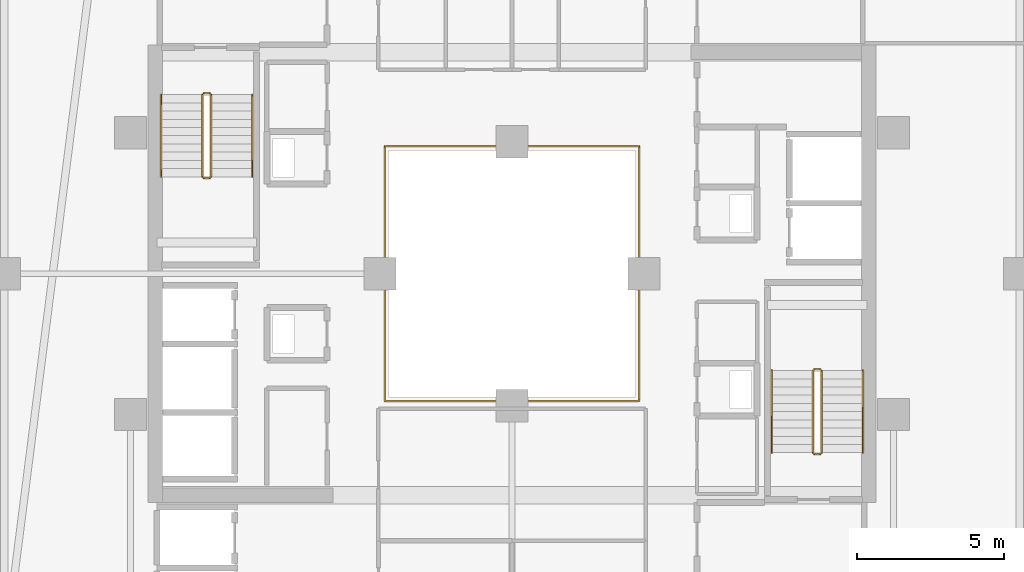
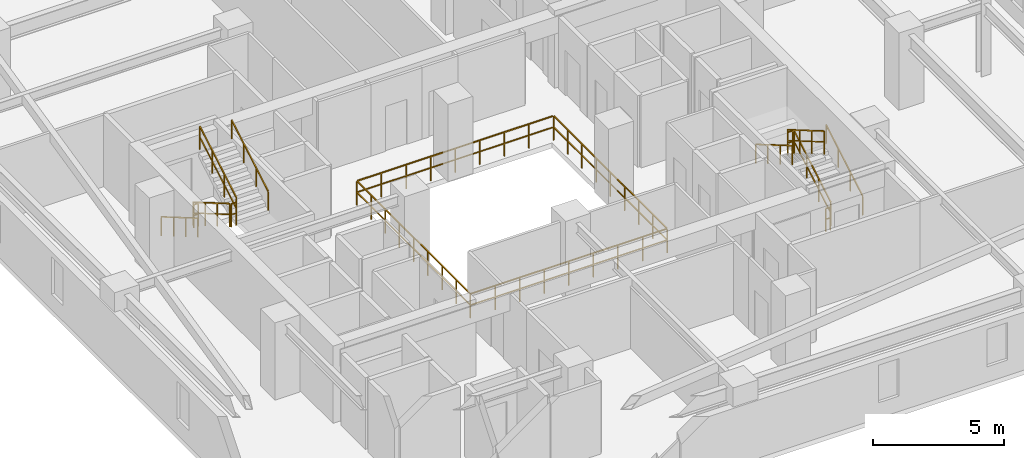
# One storey, part 32 of 33: 13 railings.
"""IFC4 building model written with IfcOpenShell, lengths in metres."""

from ifc_helpers import new_model, si_unit, direction, frame, origin, origin_2d, place, context, subcontext, project, spatial, rectangle, extrude, material, type_object, element, save


model = new_model("IFC4")

# Units and contexts
model_context = context("Model", 3, precision=1e-05, world=origin(), true_north=direction((0.0, 1.0)))
body_context = subcontext(model_context, "Body", "Model", "MODEL_VIEW")
ifc_project = project(units=[si_unit("LENGTHUNIT", "METRE"), si_unit("AREAUNIT", "SQUARE_METRE"), si_unit("VOLUMEUNIT", "CUBIC_METRE"), si_unit("PLANEANGLEUNIT", "RADIAN"), si_unit("MASSUNIT", "GRAM", prefix="KILO")], contexts=[model_context])

# Site, building, storey
site_placement = place(None, origin())
site = spatial("IfcSite", under=ifc_project, at=site_placement, CompositionType="ELEMENT")
building_placement = place(site_placement, origin())
building = spatial("IfcBuilding", under=site, at=building_placement, Name="Thornwick Lancets Civic Towers", CompositionType="ELEMENT")
storey_placement = place(building_placement, frame((0.0, 0.0, 159.89990234375)))
storey = spatial("IfcBuildingStorey", under=building, at=storey_placement, Name="L42", CompositionType="ELEMENT", Elevation=159.89990234375)

# Railings
ifc_material_1 = material(Name="Laminated glass and bronze steel S355", Category="steel")
railing_type_1 = type_object("IfcRailingType", Name="RAIL_ATRIUM_GUARD", PredefinedType="BALUSTRADE", material=ifc_material_1)
railing_1_placement = place(storey_placement, frame((84.159912109375, 22.659912109375, 0.0)))
element("IfcRailing", 1, at=railing_1_placement, inside=storey, type_object=railing_type_1, Name="L42 Tower B Central Atrium Guard Balustrade", PredefinedType="BALUSTRADE", context=body_context, shape_type="SweptSolid", body=[
    extrude(rectangle(XDim=0.048095703125, YDim=0.048095703125, at=origin_2d()), frame((0.0, 0.0, 1.1259765625), z_axis=(1.0, 0.0, 0.0), x_axis=(0.0, 1.0, 0.0)), (0.0, 0.0, 1.0), 8.64892578125),
    extrude(rectangle(XDim=0.0419921875, YDim=0.0419921875, at=origin_2d()), frame((0.03759765625, 0.0, 0.597900390625), z_axis=(1.0, 0.0, 0.0), x_axis=(0.0, 1.0, 0.0)), (0.0, 0.0, 1.0), 1.010009765625),
    extrude(rectangle(XDim=0.0419921875, YDim=0.0419921875, at=origin_2d()), frame((1.12255859375, 0.0, 0.597900390625), z_axis=(1.0, 0.0, 0.0), x_axis=(0.0, 1.0, 0.0)), (0.0, 0.0, 1.0), 1.010009765625),
    extrude(rectangle(XDim=0.0419921875, YDim=0.0419921875, at=origin_2d()), frame((2.20751953125, 0.0, 0.597900390625), z_axis=(1.0, 0.0, 0.0), x_axis=(0.0, 1.0, 0.0)), (0.0, 0.0, 1.0), 1.010009765625),
    extrude(rectangle(XDim=0.0419921875, YDim=0.0419921875, at=origin_2d()), frame((3.29248046875, 0.0, 0.597900390625), z_axis=(1.0, 0.0, 0.0), x_axis=(0.0, 1.0, 0.0)), (0.0, 0.0, 1.0), 1.010009765625),
    extrude(rectangle(XDim=0.0419921875, YDim=0.0419921875, at=origin_2d()), frame((4.377685546875, 0.0, 0.597900390625), z_axis=(1.0, 0.0, 0.0), x_axis=(0.0, 1.0, 0.0)), (0.0, 0.0, 1.0), 1.010009765625),
    extrude(rectangle(XDim=0.0419921875, YDim=0.0419921875, at=origin_2d()), frame((5.462646484375, 0.0, 0.597900390625), z_axis=(1.0, 0.0, 0.0), x_axis=(0.0, 1.0, 0.0)), (0.0, 0.0, 1.0), 1.010009765625),
    extrude(rectangle(XDim=0.0419921875, YDim=0.0419921875, at=origin_2d()), frame((6.547607421875, 0.0, 0.597900390625), z_axis=(1.0, 0.0, 0.0), x_axis=(0.0, 1.0, 0.0)), (0.0, 0.0, 1.0), 1.010009765625),
    extrude(rectangle(XDim=0.0419921875, YDim=0.0419921875, at=origin_2d()), frame((7.632568359375, 0.0, 0.597900390625), z_axis=(1.0, 0.0, 0.0), x_axis=(0.0, 1.0, 0.0)), (0.0, 0.0, 1.0), 1.010009765625),
    extrude(rectangle(XDim=0.048095703125, YDim=0.048095703125, at=origin_2d()), frame((8.68017578125, 0.03125, 1.1259765625), z_axis=(0.0, 1.0, 0.0), x_axis=(-1.0, 0.0, 0.0)), (0.0, 0.0, 1.0), 8.61767578125),
    extrude(rectangle(XDim=0.0419921875, YDim=0.0419921875, at=origin_2d()), frame((8.68017578125, 0.03759765625, 0.597900390625), z_axis=(0.0, 1.0, 0.0), x_axis=(-1.0, 0.0, 0.0)), (0.0, 0.0, 1.0), 1.010009765625),
    extrude(rectangle(XDim=0.0419921875, YDim=0.0419921875, at=origin_2d()), frame((8.68017578125, 1.12255859375, 0.597900390625), z_axis=(0.0, 1.0, 0.0), x_axis=(-1.0, 0.0, 0.0)), (0.0, 0.0, 1.0), 1.010009765625),
    extrude(rectangle(XDim=0.0419921875, YDim=0.0419921875, at=origin_2d()), frame((8.68017578125, 2.20751953125, 0.597900390625), z_axis=(0.0, 1.0, 0.0), x_axis=(-1.0, 0.0, 0.0)), (0.0, 0.0, 1.0), 1.010009765625),
    extrude(rectangle(XDim=0.0419921875, YDim=0.0419921875, at=origin_2d()), frame((8.68017578125, 3.29248046875, 0.597900390625), z_axis=(0.0, 1.0, 0.0), x_axis=(-1.0, 0.0, 0.0)), (0.0, 0.0, 1.0), 1.010009765625),
    extrude(rectangle(XDim=0.0419921875, YDim=0.0419921875, at=origin_2d()), frame((8.68017578125, 4.377685546875, 0.597900390625), z_axis=(0.0, 1.0, 0.0), x_axis=(-1.0, 0.0, 0.0)), (0.0, 0.0, 1.0), 1.010009765625),
    extrude(rectangle(XDim=0.0419921875, YDim=0.0419921875, at=origin_2d()), frame((8.68017578125, 5.462646484375, 0.597900390625), z_axis=(0.0, 1.0, 0.0), x_axis=(-1.0, 0.0, 0.0)), (0.0, 0.0, 1.0), 1.010009765625),
    extrude(rectangle(XDim=0.0419921875, YDim=0.0419921875, at=origin_2d()), frame((8.68017578125, 6.547607421875, 0.597900390625), z_axis=(0.0, 1.0, 0.0), x_axis=(-1.0, 0.0, 0.0)), (0.0, 0.0, 1.0), 1.010009765625),
    extrude(rectangle(XDim=0.0419921875, YDim=0.0419921875, at=origin_2d()), frame((8.68017578125, 7.632568359375, 0.597900390625), z_axis=(0.0, 1.0, 0.0), x_axis=(-1.0, 0.0, 0.0)), (0.0, 0.0, 1.0), 1.010009765625),
    extrude(rectangle(XDim=0.048095703125, YDim=0.048095703125, at=origin_2d()), frame((8.64892578125, 8.68017578125, 1.1259765625), z_axis=(-1.0, 0.0, 0.0), x_axis=(0.0, -1.0, 0.0)), (0.0, 0.0, 1.0), 8.61767578125),
    extrude(rectangle(XDim=0.0419921875, YDim=0.0419921875, at=origin_2d()), frame((8.642578125, 8.68017578125, 0.597900390625), z_axis=(-1.0, 0.0, 0.0), x_axis=(0.0, -1.0, 0.0)), (0.0, 0.0, 1.0), 1.010009765625),
    extrude(rectangle(XDim=0.0419921875, YDim=0.0419921875, at=origin_2d()), frame((7.5576171875, 8.68017578125, 0.597900390625), z_axis=(-1.0, 0.0, 0.0), x_axis=(0.0, -1.0, 0.0)), (0.0, 0.0, 1.0), 1.010009765625),
    extrude(rectangle(XDim=0.0419921875, YDim=0.0419921875, at=origin_2d()), frame((6.47265625, 8.68017578125, 0.597900390625), z_axis=(-1.0, 0.0, 0.0), x_axis=(0.0, -1.0, 0.0)), (0.0, 0.0, 1.0), 1.010009765625),
    extrude(rectangle(XDim=0.0419921875, YDim=0.0419921875, at=origin_2d()), frame((5.3876953125, 8.68017578125, 0.597900390625), z_axis=(-1.0, 0.0, 0.0), x_axis=(0.0, -1.0, 0.0)), (0.0, 0.0, 1.0), 1.010009765625),
    extrude(rectangle(XDim=0.0419921875, YDim=0.0419921875, at=origin_2d()), frame((4.302490234375, 8.68017578125, 0.597900390625), z_axis=(-1.0, 0.0, 0.0), x_axis=(0.0, -1.0, 0.0)), (0.0, 0.0, 1.0), 1.010009765625),
    extrude(rectangle(XDim=0.0419921875, YDim=0.0419921875, at=origin_2d()), frame((3.217529296875, 8.68017578125, 0.597900390625), z_axis=(-1.0, 0.0, 0.0), x_axis=(0.0, -1.0, 0.0)), (0.0, 0.0, 1.0), 1.010009765625),
    extrude(rectangle(XDim=0.0419921875, YDim=0.0419921875, at=origin_2d()), frame((2.132568359375, 8.68017578125, 0.597900390625), z_axis=(-1.0, 0.0, 0.0), x_axis=(0.0, -1.0, 0.0)), (0.0, 0.0, 1.0), 1.010009765625),
    extrude(rectangle(XDim=0.0419921875, YDim=0.0419921875, at=origin_2d()), frame((1.047607421875, 8.68017578125, 0.597900390625), z_axis=(-1.0, 0.0, 0.0), x_axis=(0.0, -1.0, 0.0)), (0.0, 0.0, 1.0), 1.010009765625),
    extrude(rectangle(XDim=0.048095703125, YDim=0.048095703125, at=origin_2d()), frame((0.0, 8.64892578125, 1.1259765625), z_axis=(0.0, -1.0, 0.0), x_axis=(1.0, 0.0, 0.0)), (0.0, 0.0, 1.0), 8.64892578125),
    extrude(rectangle(XDim=0.0419921875, YDim=0.0419921875, at=origin_2d()), frame((0.0, 8.642578125, 0.597900390625), z_axis=(0.0, -1.0, 0.0), x_axis=(1.0, 0.0, 0.0)), (0.0, 0.0, 1.0), 1.010009765625),
    extrude(rectangle(XDim=0.0419921875, YDim=0.0419921875, at=origin_2d()), frame((0.0, 7.5576171875, 0.597900390625), z_axis=(0.0, -1.0, 0.0), x_axis=(1.0, 0.0, 0.0)), (0.0, 0.0, 1.0), 1.010009765625),
    extrude(rectangle(XDim=0.0419921875, YDim=0.0419921875, at=origin_2d()), frame((0.0, 6.47265625, 0.597900390625), z_axis=(0.0, -1.0, 0.0), x_axis=(1.0, 0.0, 0.0)), (0.0, 0.0, 1.0), 1.010009765625),
    extrude(rectangle(XDim=0.0419921875, YDim=0.0419921875, at=origin_2d()), frame((0.0, 5.3876953125, 0.597900390625), z_axis=(0.0, -1.0, 0.0), x_axis=(1.0, 0.0, 0.0)), (0.0, 0.0, 1.0), 1.010009765625),
    extrude(rectangle(XDim=0.0419921875, YDim=0.0419921875, at=origin_2d()), frame((0.0, 4.302490234375, 0.597900390625), z_axis=(0.0, -1.0, 0.0), x_axis=(1.0, 0.0, 0.0)), (0.0, 0.0, 1.0), 1.010009765625),
    extrude(rectangle(XDim=0.0419921875, YDim=0.0419921875, at=origin_2d()), frame((0.0, 3.217529296875, 0.597900390625), z_axis=(0.0, -1.0, 0.0), x_axis=(1.0, 0.0, 0.0)), (0.0, 0.0, 1.0), 1.010009765625),
    extrude(rectangle(XDim=0.0419921875, YDim=0.0419921875, at=origin_2d()), frame((0.0, 2.132568359375, 0.597900390625), z_axis=(0.0, -1.0, 0.0), x_axis=(1.0, 0.0, 0.0)), (0.0, 0.0, 1.0), 1.010009765625),
    extrude(rectangle(XDim=0.0419921875, YDim=0.0419921875, at=origin_2d()), frame((0.0, 1.047607421875, 0.597900390625), z_axis=(0.0, -1.0, 0.0), x_axis=(1.0, 0.0, 0.0)), (0.0, 0.0, 1.0), 1.010009765625),
    extrude(rectangle(XDim=0.0419921875, YDim=0.0419921875, at=origin_2d()), origin(), (0.0, 0.0, 1.0), 1.095703125),
    extrude(rectangle(XDim=0.0419921875, YDim=0.0419921875, at=origin_2d()), frame((1.0849609375, 0.0, 0.0)), (0.0, 0.0, 1.0), 1.095703125),
    extrude(rectangle(XDim=0.0419921875, YDim=0.0419921875, at=origin_2d()), frame((2.169921875, 0.0, 0.0)), (0.0, 0.0, 1.0), 1.095703125),
    extrude(rectangle(XDim=0.0419921875, YDim=0.0419921875, at=origin_2d()), frame((3.255126953125, 0.0, 0.0)), (0.0, 0.0, 1.0), 1.095703125),
    extrude(rectangle(XDim=0.0419921875, YDim=0.0419921875, at=origin_2d()), frame((4.340087890625, 0.0, 0.0)), (0.0, 0.0, 1.0), 1.095703125),
    extrude(rectangle(XDim=0.0419921875, YDim=0.0419921875, at=origin_2d()), frame((5.425048828125, 0.0, 0.0)), (0.0, 0.0, 1.0), 1.095703125),
    extrude(rectangle(XDim=0.0419921875, YDim=0.0419921875, at=origin_2d()), frame((6.51025390625, 0.0, 0.0)), (0.0, 0.0, 1.0), 1.095703125),
    extrude(rectangle(XDim=0.0419921875, YDim=0.0419921875, at=origin_2d()), frame((7.59521484375, 0.0, 0.0)), (0.0, 0.0, 1.0), 1.095703125),
    extrude(rectangle(XDim=0.0419921875, YDim=0.0419921875, at=origin_2d()), frame((8.68017578125, 0.0, 0.0)), (0.0, 0.0, 1.0), 1.095703125),
    extrude(rectangle(XDim=0.0419921875, YDim=0.0419921875, at=origin_2d()), frame((8.68017578125, 1.0849609375, 0.0)), (0.0, 0.0, 1.0), 1.095703125),
    extrude(rectangle(XDim=0.0419921875, YDim=0.0419921875, at=origin_2d()), frame((8.68017578125, 2.169921875, 0.0)), (0.0, 0.0, 1.0), 1.095703125),
    extrude(rectangle(XDim=0.0419921875, YDim=0.0419921875, at=origin_2d()), frame((8.68017578125, 3.255126953125, 0.0)), (0.0, 0.0, 1.0), 1.095703125),
    extrude(rectangle(XDim=0.0419921875, YDim=0.0419921875, at=origin_2d()), frame((8.68017578125, 4.340087890625, 0.0)), (0.0, 0.0, 1.0), 1.095703125),
    extrude(rectangle(XDim=0.0419921875, YDim=0.0419921875, at=origin_2d()), frame((8.68017578125, 5.425048828125, 0.0)), (0.0, 0.0, 1.0), 1.095703125),
    extrude(rectangle(XDim=0.0419921875, YDim=0.0419921875, at=origin_2d()), frame((8.68017578125, 6.51025390625, 0.0)), (0.0, 0.0, 1.0), 1.095703125),
    extrude(rectangle(XDim=0.0419921875, YDim=0.0419921875, at=origin_2d()), frame((8.68017578125, 7.59521484375, 0.0)), (0.0, 0.0, 1.0), 1.095703125),
    extrude(rectangle(XDim=0.0419921875, YDim=0.0419921875, at=origin_2d()), frame((8.68017578125, 8.68017578125, 0.0)), (0.0, 0.0, 1.0), 1.095703125),
    extrude(rectangle(XDim=0.0419921875, YDim=0.0419921875, at=origin_2d()), frame((7.59521484375, 8.68017578125, 0.0)), (0.0, 0.0, 1.0), 1.095703125),
    extrude(rectangle(XDim=0.0419921875, YDim=0.0419921875, at=origin_2d()), frame((6.51025390625, 8.68017578125, 0.0)), (0.0, 0.0, 1.0), 1.095703125),
    extrude(rectangle(XDim=0.0419921875, YDim=0.0419921875, at=origin_2d()), frame((5.425048828125, 8.68017578125, 0.0)), (0.0, 0.0, 1.0), 1.095703125),
    extrude(rectangle(XDim=0.0419921875, YDim=0.0419921875, at=origin_2d()), frame((4.340087890625, 8.68017578125, 0.0)), (0.0, 0.0, 1.0), 1.095703125),
    extrude(rectangle(XDim=0.0419921875, YDim=0.0419921875, at=origin_2d()), frame((3.255126953125, 8.68017578125, 0.0)), (0.0, 0.0, 1.0), 1.095703125),
    extrude(rectangle(XDim=0.0419921875, YDim=0.0419921875, at=origin_2d()), frame((2.169921875, 8.68017578125, 0.0)), (0.0, 0.0, 1.0), 1.095703125),
    extrude(rectangle(XDim=0.0419921875, YDim=0.0419921875, at=origin_2d()), frame((1.0849609375, 8.68017578125, 0.0)), (0.0, 0.0, 1.0), 1.095703125),
    extrude(rectangle(XDim=0.0419921875, YDim=0.0419921875, at=origin_2d()), frame((0.0, 8.68017578125, 0.0)), (0.0, 0.0, 1.0), 1.095703125),
    extrude(rectangle(XDim=0.0419921875, YDim=0.0419921875, at=origin_2d()), frame((0.0, 7.59521484375, 0.0)), (0.0, 0.0, 1.0), 1.095703125),
    extrude(rectangle(XDim=0.0419921875, YDim=0.0419921875, at=origin_2d()), frame((0.0, 6.51025390625, 0.0)), (0.0, 0.0, 1.0), 1.095703125),
    extrude(rectangle(XDim=0.0419921875, YDim=0.0419921875, at=origin_2d()), frame((0.0, 5.425048828125, 0.0)), (0.0, 0.0, 1.0), 1.095703125),
    extrude(rectangle(XDim=0.0419921875, YDim=0.0419921875, at=origin_2d()), frame((0.0, 4.340087890625, 0.0)), (0.0, 0.0, 1.0), 1.095703125),
    extrude(rectangle(XDim=0.0419921875, YDim=0.0419921875, at=origin_2d()), frame((0.0, 3.255126953125, 0.0)), (0.0, 0.0, 1.0), 1.095703125),
    extrude(rectangle(XDim=0.0419921875, YDim=0.0419921875, at=origin_2d()), frame((0.0, 2.169921875, 0.0)), (0.0, 0.0, 1.0), 1.095703125),
    extrude(rectangle(XDim=0.0419921875, YDim=0.0419921875, at=origin_2d()), frame((0.0, 1.0849609375, 0.0)), (0.0, 0.0, 1.0), 1.095703125),
])
ifc_material_2 = material(Name="Brushed stainless steel S355", Category="steel")
railing_type_2 = type_object("IfcRailingType", Name="RAIL_HANDRAIL", PredefinedType="HANDRAIL", material=ifc_material_2)
railing_2_placement = place(storey_placement, frame((100.449951171875, 20.89990234375, 0.163818359375)))
element("IfcRailing", 2, at=railing_2_placement, inside=storey, type_object=railing_type_2, Name="L42 ST-B1 stair handrail 1", PredefinedType="HANDRAIL", context=body_context, shape_type="SweptSolid", body=[
    extrude(rectangle(XDim=0.048095703125, YDim=0.048095703125, at=origin_2d()), frame((0.0, 0.0, 0.8857421875), z_axis=(0.0, 0.863393664356, 0.504530851732), x_axis=(-1.0, 0.0, 0.0)), (0.0, 0.0, 1.0), 3.2431640625),
    extrude(rectangle(XDim=0.0419921875, YDim=0.0419921875, at=origin_2d()), origin(), (0.0, 0.0, 1.0), 0.855712890625),
    extrude(rectangle(XDim=0.0419921875, YDim=0.0419921875, at=origin_2d()), frame((0.0, 0.933349609375, 0.54541015625)), (0.0, 0.0, 1.0), 0.855712890625),
    extrude(rectangle(XDim=0.0419921875, YDim=0.0419921875, at=origin_2d()), frame((0.0, 1.86669921875, 1.0908203125)), (0.0, 0.0, 1.0), 0.855712890625),
    extrude(rectangle(XDim=0.0419921875, YDim=0.0419921875, at=origin_2d()), frame((0.0, 2.800048828125, 1.63623046875)), (0.0, 0.0, 1.0), 0.855712890625),
])
railing_3_placement = place(storey_placement, frame((97.35009765625, 23.699951171875, 1.963623046875)))
element("IfcRailing", 3, at=railing_3_placement, inside=storey, type_object=railing_type_2, Name="L42 ST-B1 stair handrail 2", PredefinedType="HANDRAIL", context=body_context, shape_type="SweptSolid", body=[
    extrude(rectangle(XDim=0.048095703125, YDim=0.048095703125, at=origin_2d()), frame((0.0, 0.0, 0.8857421875), z_axis=(0.0, -0.863360870873, 0.504586966384), x_axis=(1.0, 0.0, 0.0)), (0.0, 0.0, 1.0), 3.2431640625),
    extrude(rectangle(XDim=0.0419921875, YDim=0.0419921875, at=origin_2d()), origin(), (0.0, 0.0, 1.0), 0.855712890625),
    extrude(rectangle(XDim=0.0419921875, YDim=0.0419921875, at=origin_2d()), frame((0.0, -0.933349609375, 0.54541015625)), (0.0, 0.0, 1.0), 0.855712890625),
    extrude(rectangle(XDim=0.0419921875, YDim=0.0419921875, at=origin_2d()), frame((0.0, -1.86669921875, 1.091064453125)), (0.0, 0.0, 1.0), 0.855712890625),
    extrude(rectangle(XDim=0.0419921875, YDim=0.0419921875, at=origin_2d()), frame((0.0, -2.800048828125, 1.636474609375)), (0.0, 0.0, 1.0), 0.855712890625),
])
railing_4_placement = place(storey_placement, frame((76.550048828125, 33.10009765625, 0.163818359375)))
element("IfcRailing", 4, at=railing_4_placement, inside=storey, type_object=railing_type_2, Name="L42 ST-B2 stair handrail 1", PredefinedType="HANDRAIL", context=body_context, shape_type="SweptSolid", body=[
    extrude(rectangle(XDim=0.048095703125, YDim=0.048095703125, at=origin_2d()), frame((0.0, 0.0, 0.8857421875), z_axis=(0.0, -0.863393664356, 0.504530851732), x_axis=(1.0, 0.0, 0.0)), (0.0, 0.0, 1.0), 3.2431640625),
    extrude(rectangle(XDim=0.0419921875, YDim=0.0419921875, at=origin_2d()), origin(), (0.0, 0.0, 1.0), 0.855712890625),
    extrude(rectangle(XDim=0.0419921875, YDim=0.0419921875, at=origin_2d()), frame((0.0, -0.933349609375, 0.54541015625)), (0.0, 0.0, 1.0), 0.855712890625),
    extrude(rectangle(XDim=0.0419921875, YDim=0.0419921875, at=origin_2d()), frame((0.0, -1.86669921875, 1.0908203125)), (0.0, 0.0, 1.0), 0.855712890625),
    extrude(rectangle(XDim=0.0419921875, YDim=0.0419921875, at=origin_2d()), frame((0.0, -2.800048828125, 1.63623046875)), (0.0, 0.0, 1.0), 0.855712890625),
])
railing_5_placement = place(storey_placement, frame((79.64990234375, 30.300048828125, 1.963623046875)))
element("IfcRailing", 5, at=railing_5_placement, inside=storey, type_object=railing_type_2, Name="L42 ST-B2 stair handrail 2", PredefinedType="HANDRAIL", context=body_context, shape_type="SweptSolid", body=[
    extrude(rectangle(XDim=0.048095703125, YDim=0.048095703125, at=origin_2d()), frame((0.0, 0.0, 0.8857421875), z_axis=(0.0, 0.863360870873, 0.504586966384), x_axis=(-1.0, 0.0, 0.0)), (0.0, 0.0, 1.0), 3.2431640625),
    extrude(rectangle(XDim=0.0419921875, YDim=0.0419921875, at=origin_2d()), origin(), (0.0, 0.0, 1.0), 0.855712890625),
    extrude(rectangle(XDim=0.0419921875, YDim=0.0419921875, at=origin_2d()), frame((0.0, 0.933349609375, 0.54541015625)), (0.0, 0.0, 1.0), 0.855712890625),
    extrude(rectangle(XDim=0.0419921875, YDim=0.0419921875, at=origin_2d()), frame((0.0, 1.86669921875, 1.091064453125)), (0.0, 0.0, 1.0), 0.855712890625),
    extrude(rectangle(XDim=0.0419921875, YDim=0.0419921875, at=origin_2d()), frame((0.0, 2.800048828125, 1.636474609375)), (0.0, 0.0, 1.0), 0.855712890625),
])
ifc_material_3 = material(Name="Steel S355JR", Category="steel")
railing_type_3 = type_object("IfcRailingType", Name="RAIL_STAIR_GUARD", PredefinedType="GUARDRAIL", material=ifc_material_3)
railing_6_placement = place(storey_placement, frame((99.050048828125, 20.89990234375, 0.163818359375)))
element("IfcRailing", 6, at=railing_6_placement, inside=storey, type_object=railing_type_3, Name="L42 ST-B1 stair guard 1", PredefinedType="GUARDRAIL", context=body_context, shape_type="SweptSolid", body=[
    extrude(rectangle(XDim=0.048095703125, YDim=0.048095703125, at=origin_2d()), frame((0.0, 0.0, 1.076171875), z_axis=(0.0, 0.863393664356, 0.504530851732), x_axis=(-1.0, 0.0, 0.0)), (0.0, 0.0, 1.0), 3.2431640625),
    extrude(rectangle(XDim=0.0419921875, YDim=0.0419921875, at=origin_2d()), frame((0.0, 0.032470703125, 0.591064453125), z_axis=(0.0, 0.863393664356, 0.504530851732), x_axis=(-1.0, 0.0, 0.0)), (0.0, 0.0, 1.0), 1.006103515625),
    extrude(rectangle(XDim=0.0419921875, YDim=0.0419921875, at=origin_2d()), frame((0.0, 0.9658203125, 1.136474609375), z_axis=(0.0, 0.863393664356, 0.504530851732), x_axis=(-1.0, 0.0, 0.0)), (0.0, 0.0, 1.0), 1.006103515625),
    extrude(rectangle(XDim=0.0419921875, YDim=0.0419921875, at=origin_2d()), frame((0.0, 1.899169921875, 1.681884765625), z_axis=(0.0, 0.863393664356, 0.504530851732), x_axis=(-1.0, 0.0, 0.0)), (0.0, 0.0, 1.0), 1.006103515625),
    extrude(rectangle(XDim=0.0419921875, YDim=0.0419921875, at=origin_2d()), origin(), (0.0, 0.0, 1.0), 1.0458984375),
    extrude(rectangle(XDim=0.0419921875, YDim=0.0419921875, at=origin_2d()), frame((0.0, 0.933349609375, 0.54541015625)), (0.0, 0.0, 1.0), 1.0458984375),
    extrude(rectangle(XDim=0.0419921875, YDim=0.0419921875, at=origin_2d()), frame((0.0, 1.86669921875, 1.0908203125)), (0.0, 0.0, 1.0), 1.0458984375),
    extrude(rectangle(XDim=0.0419921875, YDim=0.0419921875, at=origin_2d()), frame((0.0, 2.800048828125, 1.63623046875)), (0.0, 0.0, 1.0), 1.0458984375),
])
railing_7_placement = place(storey_placement, frame((99.0, 23.75, 1.800048828125)))
element("IfcRailing", 7, at=railing_7_placement, inside=storey, type_object=railing_type_3, Name="L42 ST-B1 stair guard 2", PredefinedType="GUARDRAIL", context=body_context, shape_type="SweptSolid", body=[
    extrude(rectangle(XDim=0.048095703125, YDim=0.048095703125, at=origin_2d()), frame((0.0, 0.0, 1.076171875), z_axis=(-1.0, 0.0, 0.0), x_axis=(0.0, -1.0, 0.0)), (0.0, 0.0, 1.0), 0.199951171875),
    extrude(rectangle(XDim=0.0419921875, YDim=0.0419921875, at=origin_2d()), frame((-0.03759765625, 0.0, 0.572021484375), z_axis=(-1.0, 0.0, 0.0), x_axis=(0.0, -1.0, 0.0)), (0.0, 0.0, 1.0), 0.125),
    extrude(rectangle(XDim=0.0419921875, YDim=0.0419921875, at=origin_2d()), origin(), (0.0, 0.0, 1.0), 1.0458984375),
    extrude(rectangle(XDim=0.0419921875, YDim=0.0419921875, at=origin_2d()), frame((-0.199951171875, 0.0, 0.0)), (0.0, 0.0, 1.0), 1.0458984375),
])
railing_8_placement = place(storey_placement, frame((98.75, 23.699951171875, 1.963623046875)))
element("IfcRailing", 8, at=railing_8_placement, inside=storey, type_object=railing_type_3, Name="L42 ST-B1 stair guard 3", PredefinedType="GUARDRAIL", context=body_context, shape_type="SweptSolid", body=[
    extrude(rectangle(XDim=0.048095703125, YDim=0.048095703125, at=origin_2d()), frame((0.0, 0.0, 1.076171875), z_axis=(0.0, -0.863360870873, 0.504586966384), x_axis=(1.0, 0.0, 0.0)), (0.0, 0.0, 1.0), 3.2431640625),
    extrude(rectangle(XDim=0.0419921875, YDim=0.0419921875, at=origin_2d()), frame((0.0, -0.032470703125, 0.591064453125), z_axis=(0.0, -0.863360870873, 0.504586966384), x_axis=(1.0, 0.0, 0.0)), (0.0, 0.0, 1.0), 1.006103515625),
    extrude(rectangle(XDim=0.0419921875, YDim=0.0419921875, at=origin_2d()), frame((0.0, -0.9658203125, 1.136474609375), z_axis=(0.0, -0.863360870873, 0.504586966384), x_axis=(1.0, 0.0, 0.0)), (0.0, 0.0, 1.0), 1.006103515625),
    extrude(rectangle(XDim=0.0419921875, YDim=0.0419921875, at=origin_2d()), frame((0.0, -1.899169921875, 1.681884765625), z_axis=(0.0, -0.863360870873, 0.504586966384), x_axis=(1.0, 0.0, 0.0)), (0.0, 0.0, 1.0), 1.006103515625),
    extrude(rectangle(XDim=0.0419921875, YDim=0.0419921875, at=origin_2d()), origin(), (0.0, 0.0, 1.0), 1.0458984375),
    extrude(rectangle(XDim=0.0419921875, YDim=0.0419921875, at=origin_2d()), frame((0.0, -0.933349609375, 0.54541015625)), (0.0, 0.0, 1.0), 1.0458984375),
    extrude(rectangle(XDim=0.0419921875, YDim=0.0419921875, at=origin_2d()), frame((0.0, -1.86669921875, 1.091064453125)), (0.0, 0.0, 1.0), 1.0458984375),
    extrude(rectangle(XDim=0.0419921875, YDim=0.0419921875, at=origin_2d()), frame((0.0, -2.800048828125, 1.636474609375)), (0.0, 0.0, 1.0), 1.0458984375),
])
railing_9_placement = place(storey_placement, frame((99.0, 20.85009765625, 0.0)))
element("IfcRailing", 9, at=railing_9_placement, inside=storey, type_object=railing_type_3, Name="L42 ST-B1 stair guard 4", PredefinedType="GUARDRAIL", context=body_context, shape_type="SweptSolid", body=[
    extrude(rectangle(XDim=0.048095703125, YDim=0.048095703125, at=origin_2d()), frame((0.0, 0.0, 1.076171875), z_axis=(-1.0, 0.0, 0.0), x_axis=(0.0, -1.0, 0.0)), (0.0, 0.0, 1.0), 0.199951171875),
    extrude(rectangle(XDim=0.0419921875, YDim=0.0419921875, at=origin_2d()), frame((-0.03759765625, 0.0, 0.572021484375), z_axis=(-1.0, 0.0, 0.0), x_axis=(0.0, -1.0, 0.0)), (0.0, 0.0, 1.0), 0.125),
    extrude(rectangle(XDim=0.0419921875, YDim=0.0419921875, at=origin_2d()), origin(), (0.0, 0.0, 1.0), 1.0458984375),
    extrude(rectangle(XDim=0.0419921875, YDim=0.0419921875, at=origin_2d()), frame((-0.199951171875, 0.0, 0.0)), (0.0, 0.0, 1.0), 1.0458984375),
])
railing_10_placement = place(storey_placement, frame((77.949951171875, 33.10009765625, 0.163818359375)))
element("IfcRailing", 10, at=railing_10_placement, inside=storey, type_object=railing_type_3, Name="L42 ST-B2 stair guard 1", PredefinedType="GUARDRAIL", context=body_context, shape_type="SweptSolid", body=[
    extrude(rectangle(XDim=0.048095703125, YDim=0.048095703125, at=origin_2d()), frame((0.0, 0.0, 1.076171875), z_axis=(0.0, -0.863393664356, 0.504530851732), x_axis=(1.0, 0.0, 0.0)), (0.0, 0.0, 1.0), 3.2431640625),
    extrude(rectangle(XDim=0.0419921875, YDim=0.0419921875, at=origin_2d()), frame((0.0, -0.032470703125, 0.591064453125), z_axis=(0.0, -0.863393664356, 0.504530851732), x_axis=(1.0, 0.0, 0.0)), (0.0, 0.0, 1.0), 1.006103515625),
    extrude(rectangle(XDim=0.0419921875, YDim=0.0419921875, at=origin_2d()), frame((0.0, -0.9658203125, 1.136474609375), z_axis=(0.0, -0.863393664356, 0.504530851732), x_axis=(1.0, 0.0, 0.0)), (0.0, 0.0, 1.0), 1.006103515625),
    extrude(rectangle(XDim=0.0419921875, YDim=0.0419921875, at=origin_2d()), frame((0.0, -1.899169921875, 1.681884765625), z_axis=(0.0, -0.863393664356, 0.504530851732), x_axis=(1.0, 0.0, 0.0)), (0.0, 0.0, 1.0), 1.006103515625),
    extrude(rectangle(XDim=0.0419921875, YDim=0.0419921875, at=origin_2d()), origin(), (0.0, 0.0, 1.0), 1.0458984375),
    extrude(rectangle(XDim=0.0419921875, YDim=0.0419921875, at=origin_2d()), frame((0.0, -0.933349609375, 0.54541015625)), (0.0, 0.0, 1.0), 1.0458984375),
    extrude(rectangle(XDim=0.0419921875, YDim=0.0419921875, at=origin_2d()), frame((0.0, -1.86669921875, 1.0908203125)), (0.0, 0.0, 1.0), 1.0458984375),
    extrude(rectangle(XDim=0.0419921875, YDim=0.0419921875, at=origin_2d()), frame((0.0, -2.800048828125, 1.63623046875)), (0.0, 0.0, 1.0), 1.0458984375),
])
railing_11_placement = place(storey_placement, frame((78.0, 30.25, 1.800048828125)))
element("IfcRailing", 11, at=railing_11_placement, inside=storey, type_object=railing_type_3, Name="L42 ST-B2 stair guard 2", PredefinedType="GUARDRAIL", context=body_context, shape_type="SweptSolid", body=[
    extrude(rectangle(XDim=0.048095703125, YDim=0.048095703125, at=origin_2d()), frame((0.0, 0.0, 1.076171875), z_axis=(1.0, 0.0, 0.0), x_axis=(0.0, 1.0, 0.0)), (0.0, 0.0, 1.0), 0.199951171875),
    extrude(rectangle(XDim=0.0419921875, YDim=0.0419921875, at=origin_2d()), frame((0.03759765625, 0.0, 0.572021484375), z_axis=(1.0, 0.0, 0.0), x_axis=(0.0, 1.0, 0.0)), (0.0, 0.0, 1.0), 0.125),
    extrude(rectangle(XDim=0.0419921875, YDim=0.0419921875, at=origin_2d()), origin(), (0.0, 0.0, 1.0), 1.0458984375),
    extrude(rectangle(XDim=0.0419921875, YDim=0.0419921875, at=origin_2d()), frame((0.199951171875, 0.0, 0.0)), (0.0, 0.0, 1.0), 1.0458984375),
])
railing_12_placement = place(storey_placement, frame((78.25, 30.300048828125, 1.963623046875)))
element("IfcRailing", 12, at=railing_12_placement, inside=storey, type_object=railing_type_3, Name="L42 ST-B2 stair guard 3", PredefinedType="GUARDRAIL", context=body_context, shape_type="SweptSolid", body=[
    extrude(rectangle(XDim=0.048095703125, YDim=0.048095703125, at=origin_2d()), frame((0.0, 0.0, 1.076171875), z_axis=(0.0, 0.863360870873, 0.504586966384), x_axis=(-1.0, 0.0, 0.0)), (0.0, 0.0, 1.0), 3.2431640625),
    extrude(rectangle(XDim=0.0419921875, YDim=0.0419921875, at=origin_2d()), frame((0.0, 0.032470703125, 0.591064453125), z_axis=(0.0, 0.863360870873, 0.504586966384), x_axis=(-1.0, 0.0, 0.0)), (0.0, 0.0, 1.0), 1.006103515625),
    extrude(rectangle(XDim=0.0419921875, YDim=0.0419921875, at=origin_2d()), frame((0.0, 0.9658203125, 1.136474609375), z_axis=(0.0, 0.863360870873, 0.504586966384), x_axis=(-1.0, 0.0, 0.0)), (0.0, 0.0, 1.0), 1.006103515625),
    extrude(rectangle(XDim=0.0419921875, YDim=0.0419921875, at=origin_2d()), frame((0.0, 1.899169921875, 1.681884765625), z_axis=(0.0, 0.863360870873, 0.504586966384), x_axis=(-1.0, 0.0, 0.0)), (0.0, 0.0, 1.0), 1.006103515625),
    extrude(rectangle(XDim=0.0419921875, YDim=0.0419921875, at=origin_2d()), origin(), (0.0, 0.0, 1.0), 1.0458984375),
    extrude(rectangle(XDim=0.0419921875, YDim=0.0419921875, at=origin_2d()), frame((0.0, 0.933349609375, 0.54541015625)), (0.0, 0.0, 1.0), 1.0458984375),
    extrude(rectangle(XDim=0.0419921875, YDim=0.0419921875, at=origin_2d()), frame((0.0, 1.86669921875, 1.091064453125)), (0.0, 0.0, 1.0), 1.0458984375),
    extrude(rectangle(XDim=0.0419921875, YDim=0.0419921875, at=origin_2d()), frame((0.0, 2.800048828125, 1.636474609375)), (0.0, 0.0, 1.0), 1.0458984375),
])
railing_13_placement = place(storey_placement, frame((78.0, 33.14990234375, 0.0)))
element("IfcRailing", 13, at=railing_13_placement, inside=storey, type_object=railing_type_3, Name="L42 ST-B2 stair guard 4", PredefinedType="GUARDRAIL", context=body_context, shape_type="SweptSolid", body=[
    extrude(rectangle(XDim=0.048095703125, YDim=0.048095703125, at=origin_2d()), frame((0.0, 0.0, 1.076171875), z_axis=(1.0, 0.0, 0.0), x_axis=(0.0, 1.0, 0.0)), (0.0, 0.0, 1.0), 0.199951171875),
    extrude(rectangle(XDim=0.0419921875, YDim=0.0419921875, at=origin_2d()), frame((0.03759765625, 0.0, 0.572021484375), z_axis=(1.0, 0.0, 0.0), x_axis=(0.0, 1.0, 0.0)), (0.0, 0.0, 1.0), 0.125),
    extrude(rectangle(XDim=0.0419921875, YDim=0.0419921875, at=origin_2d()), origin(), (0.0, 0.0, 1.0), 1.0458984375),
    extrude(rectangle(XDim=0.0419921875, YDim=0.0419921875, at=origin_2d()), frame((0.199951171875, 0.0, 0.0)), (0.0, 0.0, 1.0), 1.0458984375),
])

save(model, "model.ifc")
